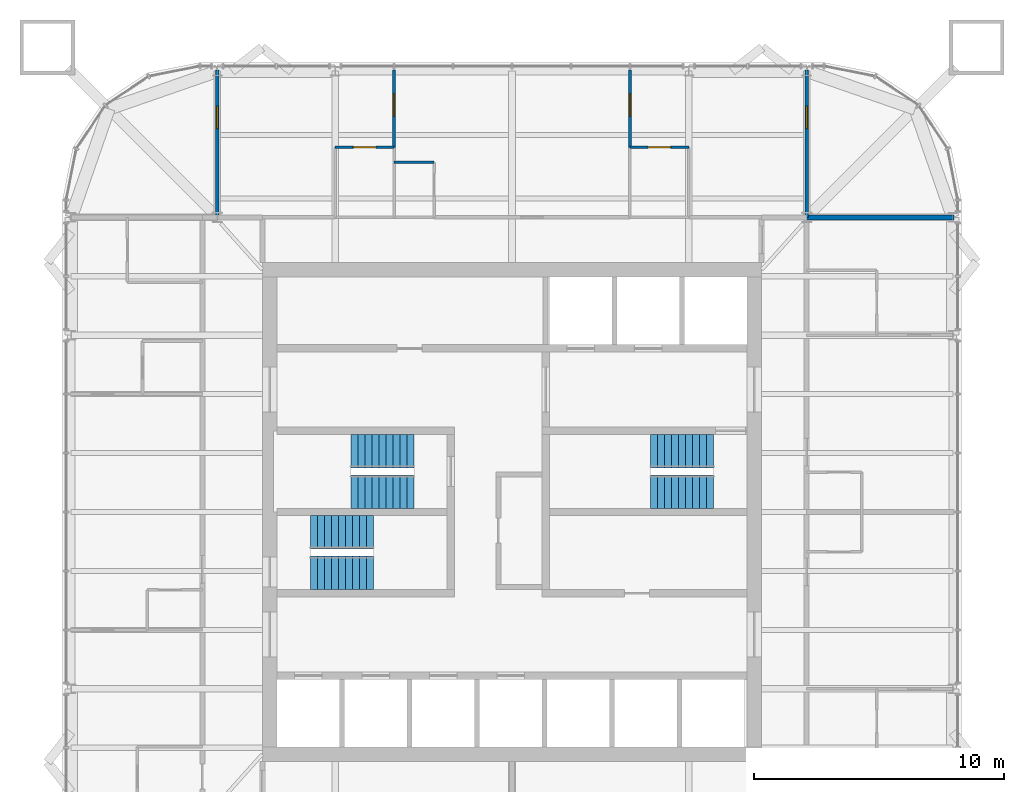
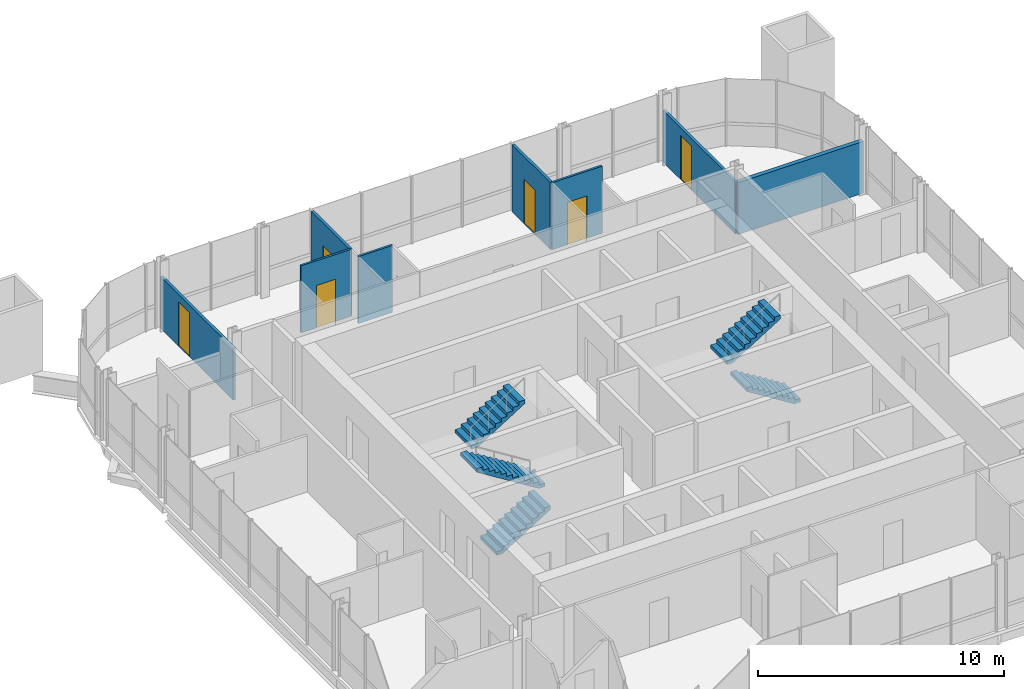
# One storey, part 16 of 17: 8 walls, 6 doors, 6 stair flights, 6 openings, 3 elements without a shape of their own.
"""IFC4 building model written with IfcOpenShell, lengths in metres."""

from ifc_helpers import new_model, si_unit, direction, frame, frame_2d, origin, place, context, subcontext, project, spatial, polyline, rectangle, outline, extrude, material, layer, layer_set, type_object, element, fill, aggregate, save


model = new_model("IFC4")

# Units and contexts
model_context = context("Model", 3, precision=1e-05, world=origin(), true_north=direction((0.0, 1.0)))
body_context = subcontext(model_context, "Body", "Model", "MODEL_VIEW")
ifc_project = project(units=[si_unit("LENGTHUNIT", "METRE"), si_unit("AREAUNIT", "SQUARE_METRE"), si_unit("VOLUMEUNIT", "CUBIC_METRE"), si_unit("PLANEANGLEUNIT", "RADIAN"), si_unit("MASSUNIT", "GRAM", prefix="KILO")], contexts=[model_context])

# Site, building, storey
site_placement = place(None, origin())
site = spatial("IfcSite", under=ifc_project, at=site_placement, CompositionType="ELEMENT")
building_placement = place(site_placement, origin())
building = spatial("IfcBuilding", under=site, at=building_placement, Name="Turquesa Mirador Hotel Tower", CompositionType="ELEMENT")
storey_placement = place(building_placement, frame((0.0, 0.0, 237.199951171875)))
storey = spatial("IfcBuildingStorey", under=building, at=storey_placement, Name="L64", CompositionType="ELEMENT", Elevation=237.199951171875)

# Wall
ifc_material_1 = material(Name="Gypsum board on steel studs", Category="steel")
ifc_layer_1 = layer(ifc_material_1, 0.10009765625)
ifc_layer_set_1 = layer_set([ifc_layer_1], Name="BATHROOM WALL 100")
wall_type_1 = type_object("IfcWallType", Name="BATHROOM WALL 100", PredefinedType="PARTITIONING", material=ifc_layer_set_1)
wall_1_placement = place(storey_placement, frame((50.280029296875, 59.0, 0.0), z_axis=(0.0, 0.0, 1.0), x_axis=(1.0, 0.0, 0.0)))
element("IfcWall", 1, at=wall_1_placement, inside=storey, type_object=wall_type_1, Name="Partition L64 032", PredefinedType="PARTITIONING", context=body_context, shape_type="SweptSolid", body=[
    extrude(rectangle(XDim=1.599853515625, YDim=0.10009765625, at=frame_2d((0.7998046875, 0.0))), origin(), (0.0, 0.0, 1.0), 3.330078125),
])

# Wall, opening, door
wall_2_placement = place(storey_placement, frame((47.919921875, 59.60009765625, 0.0), z_axis=(0.0, 0.0, 1.0), x_axis=(1.0, 0.0, 0.0)))
wall_2 = element("IfcWall", 2, at=wall_2_placement, inside=storey, type_object=wall_type_1, Name="Partition L64 033", PredefinedType="PARTITIONING", context=body_context, shape_type="SweptSolid", body=[
    extrude(rectangle(XDim=2.360107421875, YDim=0.10009765625, at=frame_2d((1.18017578125, 0.0))), origin(), (0.0, 0.0, 1.0), 3.330078125),
])
opening_1_placement = place(wall_2_placement, frame((0.72998046875, 0.0, 0.0)))
opening_1 = element("IfcOpeningElement", 3, at=opening_1_placement, cuts=wall_2, Name="Opening D02", PredefinedType="OPENING", context=body_context, shape_type="SweptSolid", body=[
    extrude(rectangle(XDim=0.89990234375, YDim=2.10009765625, at=frame_2d((0.449951171875, 1.050048828125))), frame((0.0, 0.06005859375, 0.0), z_axis=(0.0, -1.0, 0.0), x_axis=(1.0, 0.0, 0.0)), (0.0, 0.0, 1.0), 0.1201171875),
])
ifc_material_2 = material(Name="Timber veneered door", Category="wood")
door_type_1 = type_object("IfcDoorType", Name="DOOR 900X2100 EN-SUITE", OperationType="SINGLE_SWING_RIGHT", PredefinedType="DOOR", material=ifc_material_2)
door_1_placement = place(opening_1_placement, origin())
door_1 = element("IfcDoor", 4, at=door_1_placement, inside=storey, type_object=door_type_1, Name="Door 6401B", OperationType="SINGLE_SWING_RIGHT", OverallHeight=2.10009765625, OverallWidth=0.89990234375, PredefinedType="DOOR", context=body_context, shape_type="SweptSolid", body=[
    extrude(rectangle(XDim=0.89990234375, YDim=2.10009765625, at=frame_2d((0.449951171875, 1.050048828125))), frame((0.0, 0.02490234375, 0.0), z_axis=(0.0, -1.0, 0.0), x_axis=(1.0, 0.0, 0.0)), (0.0, 0.0, 1.0), 0.050048828125),
])
fill(opening_1, door_1)

wall_3_placement = place(storey_placement, frame((59.719970703125, 59.60009765625, 0.0), z_axis=(0.0, 0.0, 1.0), x_axis=(1.0, 0.0, 0.0)))
wall_3 = element("IfcWall", 5, at=wall_3_placement, inside=storey, type_object=wall_type_1, Name="Partition L64 034", PredefinedType="PARTITIONING", context=body_context, shape_type="SweptSolid", body=[
    extrude(rectangle(XDim=2.360107421875, YDim=0.10009765625, at=frame_2d((1.18017578125, 0.0))), origin(), (0.0, 0.0, 1.0), 3.330078125),
])
opening_2_placement = place(wall_3_placement, frame((0.72998046875, 0.0, 0.0)))
opening_2 = element("IfcOpeningElement", 6, at=opening_2_placement, cuts=wall_3, Name="Opening D02", PredefinedType="OPENING", context=body_context, shape_type="SweptSolid", body=[
    extrude(rectangle(XDim=0.89990234375, YDim=2.10009765625, at=frame_2d((0.449951171875, 1.050048828125))), frame((0.0, 0.06005859375, 0.0), z_axis=(0.0, -1.0, 0.0), x_axis=(1.0, 0.0, 0.0)), (0.0, 0.0, 1.0), 0.1201171875),
])
door_2_placement = place(opening_2_placement, origin())
door_2 = element("IfcDoor", 7, at=door_2_placement, inside=storey, type_object=door_type_1, Name="Door 6401E", OperationType="SINGLE_SWING_RIGHT", OverallHeight=2.10009765625, OverallWidth=0.89990234375, PredefinedType="DOOR", context=body_context, shape_type="SweptSolid", body=[
    extrude(rectangle(XDim=0.89990234375, YDim=2.10009765625, at=frame_2d((0.449951171875, 1.050048828125))), frame((0.0, 0.02490234375, 0.0), z_axis=(0.0, -1.0, 0.0), x_axis=(1.0, 0.0, 0.0)), (0.0, 0.0, 1.0), 0.050048828125),
])
fill(opening_2, door_2)

# Wall
ifc_material_3 = material(Name="Fire-rated gypsum board on steel studs", Category="steel")
ifc_layer_2 = layer(ifc_material_3, 0.199951171875)
ifc_layer_set_2 = layer_set([ifc_layer_2], Name="PARTY WALL 200")
wall_type_2 = type_object("IfcWallType", Name="PARTY WALL 200", PredefinedType="PARTITIONING", material=ifc_layer_set_2)
wall_4_placement = place(storey_placement, frame((66.800048828125, 56.800048828125, 0.0), z_axis=(0.0, 0.0, 1.0), x_axis=(1.0, 0.0, 0.0)))
element("IfcWall", 8, at=wall_4_placement, inside=storey, type_object=wall_type_2, Name="Partition L64 028", PredefinedType="PARTITIONING", context=body_context, shape_type="SweptSolid", body=[
    extrude(rectangle(XDim=5.89990234375, YDim=0.199951171875, at=frame_2d((2.949951171875, 0.0))), origin(), (0.0, 0.0, 1.0), 2.5732421875),
])

# Wall, opening, door
ifc_material_4 = material(Name="Acoustic gypsum board on steel studs", Category="steel")
ifc_layer_3 = layer(ifc_material_4, 0.125)
ifc_layer_set_3 = layer_set([ifc_layer_3], Name="SUITE PARTITION 125")
wall_type_3 = type_object("IfcWallType", Name="SUITE PARTITION 125", PredefinedType="PARTITIONING", material=ifc_layer_set_3)
wall_5_placement = place(storey_placement, frame((43.199951171875, 56.800048828125, 0.0), z_axis=(0.0, 0.0, 1.0), x_axis=(0.0, 1.0, 0.0)))
wall_5 = element("IfcWall", 9, at=wall_5_placement, inside=storey, type_object=wall_type_3, Name="Partition L64 045", PredefinedType="PARTITIONING", context=body_context, shape_type="SweptSolid", body=[
    extrude(rectangle(XDim=5.89990234375, YDim=0.125, at=frame_2d((2.949951171875, 0.0))), origin(), (0.0, 0.0, 1.0), 2.5732421875),
])
opening_3_placement = place(wall_5_placement, frame((3.550048828125, 0.0, 0.0)))
opening_3 = element("IfcOpeningElement", 10, at=opening_3_placement, cuts=wall_5, Name="Opening D17", PredefinedType="OPENING", context=body_context, shape_type="SweptSolid", body=[
    extrude(rectangle(XDim=0.89990234375, YDim=2.199951171875, at=frame_2d((0.449951171875, 1.10009765625))), frame((0.0, 0.072509765625, 0.0), z_axis=(0.0, -1.0, 0.0), x_axis=(1.0, 0.0, 0.0)), (0.0, 0.0, 1.0), 0.14501953125),
])
ifc_material_5 = material(Name="Timber veneered door", Category="wood")
door_type_2 = type_object("IfcDoorType", Name="DOOR 900X2200 SUITE INTERNAL", OperationType="SINGLE_SWING_LEFT", PredefinedType="DOOR", material=ifc_material_5)
door_3_placement = place(opening_3_placement, origin())
door_3 = element("IfcDoor", 11, at=door_3_placement, inside=storey, type_object=door_type_2, Name="Door 6401T", OperationType="SINGLE_SWING_LEFT", OverallHeight=2.199951171875, OverallWidth=0.89990234375, PredefinedType="DOOR", context=body_context, shape_type="SweptSolid", body=[
    extrude(rectangle(XDim=0.89990234375, YDim=2.199951171875, at=frame_2d((0.449951171875, 1.10009765625))), frame((0.0, 0.02490234375, 0.0), z_axis=(0.0, -1.0, 0.0), x_axis=(1.0, 0.0, 0.0)), (0.0, 0.0, 1.0), 0.050048828125),
])
fill(opening_3, door_3)

wall_6_placement = place(storey_placement, frame((50.280029296875, 59.60009765625, 0.0), z_axis=(0.0, 0.0, 1.0), x_axis=(0.0, 1.0, 0.0)))
wall_6 = element("IfcWall", 12, at=wall_6_placement, inside=storey, type_object=wall_type_3, Name="Partition L64 053", PredefinedType="PARTITIONING", context=body_context, shape_type="SweptSolid", body=[
    extrude(rectangle(XDim=3.099853515625, YDim=0.125, at=frame_2d((1.5498046875, 0.0))), origin(), (0.0, 0.0, 1.0), 3.330078125),
])
opening_4_placement = place(wall_6_placement, frame((1.25, 0.0, 0.0)))
opening_4 = element("IfcOpeningElement", 13, at=opening_4_placement, cuts=wall_6, Name="Opening D17", PredefinedType="OPENING", context=body_context, shape_type="SweptSolid", body=[
    extrude(rectangle(XDim=0.89990234375, YDim=2.199951171875, at=frame_2d((0.449951171875, 1.10009765625))), frame((0.0, 0.072509765625, 0.0), z_axis=(0.0, -1.0, 0.0), x_axis=(1.0, 0.0, 0.0)), (0.0, 0.0, 1.0), 0.14501953125),
])
door_4_placement = place(opening_4_placement, origin())
door_4 = element("IfcDoor", 14, at=door_4_placement, inside=storey, type_object=door_type_2, Name="Door 6401R", OperationType="SINGLE_SWING_LEFT", OverallHeight=2.199951171875, OverallWidth=0.89990234375, PredefinedType="DOOR", context=body_context, shape_type="SweptSolid", body=[
    extrude(rectangle(XDim=0.89990234375, YDim=2.199951171875, at=frame_2d((0.449951171875, 1.10009765625))), frame((0.0, 0.02490234375, 0.0), z_axis=(0.0, -1.0, 0.0), x_axis=(1.0, 0.0, 0.0)), (0.0, 0.0, 1.0), 0.050048828125),
])
fill(opening_4, door_4)

wall_7_placement = place(storey_placement, frame((66.800048828125, 56.800048828125, 0.0), z_axis=(0.0, 0.0, 1.0), x_axis=(0.0, 1.0, 0.0)))
wall_7 = element("IfcWall", 15, at=wall_7_placement, inside=storey, type_object=wall_type_3, Name="Partition L64 063", PredefinedType="PARTITIONING", context=body_context, shape_type="SweptSolid", body=[
    extrude(rectangle(XDim=5.89990234375, YDim=0.125, at=frame_2d((2.949951171875, 0.0))), origin(), (0.0, 0.0, 1.0), 2.5732421875),
])
opening_5_placement = place(wall_7_placement, frame((3.550048828125, 0.0, 0.0)))
opening_5 = element("IfcOpeningElement", 16, at=opening_5_placement, cuts=wall_7, Name="Opening D17", PredefinedType="OPENING", context=body_context, shape_type="SweptSolid", body=[
    extrude(rectangle(XDim=0.89990234375, YDim=2.199951171875, at=frame_2d((0.449951171875, 1.10009765625))), frame((0.0, 0.072509765625, 0.0), z_axis=(0.0, -1.0, 0.0), x_axis=(1.0, 0.0, 0.0)), (0.0, 0.0, 1.0), 0.14501953125),
])
door_5_placement = place(opening_5_placement, origin())
door_5 = element("IfcDoor", 17, at=door_5_placement, inside=storey, type_object=door_type_2, Name="Door 6401U", OperationType="SINGLE_SWING_LEFT", OverallHeight=2.199951171875, OverallWidth=0.89990234375, PredefinedType="DOOR", context=body_context, shape_type="SweptSolid", body=[
    extrude(rectangle(XDim=0.89990234375, YDim=2.199951171875, at=frame_2d((0.449951171875, 1.10009765625))), frame((0.0, 0.02490234375, 0.0), z_axis=(0.0, -1.0, 0.0), x_axis=(1.0, 0.0, 0.0)), (0.0, 0.0, 1.0), 0.050048828125),
])
fill(opening_5, door_5)

wall_8_placement = place(storey_placement, frame((59.719970703125, 59.60009765625, 0.0), z_axis=(0.0, 0.0, 1.0), x_axis=(0.0, 1.0, 0.0)))
wall_8 = element("IfcWall", 18, at=wall_8_placement, inside=storey, type_object=wall_type_3, Name="Partition L64 068", PredefinedType="PARTITIONING", context=body_context, shape_type="SweptSolid", body=[
    extrude(rectangle(XDim=3.099853515625, YDim=0.125, at=frame_2d((1.5498046875, 0.0))), origin(), (0.0, 0.0, 1.0), 3.330078125),
])
opening_6_placement = place(wall_8_placement, frame((1.25, 0.0, 0.0)))
opening_6 = element("IfcOpeningElement", 19, at=opening_6_placement, cuts=wall_8, Name="Opening D17", PredefinedType="OPENING", context=body_context, shape_type="SweptSolid", body=[
    extrude(rectangle(XDim=0.89990234375, YDim=2.199951171875, at=frame_2d((0.449951171875, 1.10009765625))), frame((0.0, 0.072509765625, 0.0), z_axis=(0.0, -1.0, 0.0), x_axis=(1.0, 0.0, 0.0)), (0.0, 0.0, 1.0), 0.14501953125),
])
door_6_placement = place(opening_6_placement, origin())
door_6 = element("IfcDoor", 20, at=door_6_placement, inside=storey, type_object=door_type_2, Name="Door 6401S", OperationType="SINGLE_SWING_LEFT", OverallHeight=2.199951171875, OverallWidth=0.89990234375, PredefinedType="DOOR", context=body_context, shape_type="SweptSolid", body=[
    extrude(rectangle(XDim=0.89990234375, YDim=2.199951171875, at=frame_2d((0.449951171875, 1.10009765625))), frame((0.0, 0.02490234375, 0.0), z_axis=(0.0, -1.0, 0.0), x_axis=(1.0, 0.0, 0.0)), (0.0, 0.0, 1.0), 0.050048828125),
])
fill(opening_6, door_6)

# Stair, stair flights
ifc_material_6 = material(Name="Concrete C35/45", Category="concrete")
stair_type = type_object("IfcStairType", Name="ESCAPE STAIR CORE", PredefinedType="HALF_TURN_STAIR", material=ifc_material_6)
stair_1_placement = place(storey_placement, origin())
stair_1 = element("IfcStair", 21, at=stair_1_placement, inside=storey, type_object=stair_type, Name="Stair ST1 L64 to L65", PredefinedType="HALF_TURN_STAIR")
ifc_material_7 = material(Name="Concrete C35/45 precast flight", Category="concrete")
stair_flight_type = type_object("IfcStairFlightType", Name="STAIR FLIGHT 1330", PredefinedType="STRAIGHT", material=ifc_material_7)
stair_flight_1_placement = place(storey_placement, frame((51.070068359375, 45.81494140625, 0.0), z_axis=(0.0, 0.0, 1.0), x_axis=(-1.0, 0.0, 0.0)))
stair_flight_1 = element("IfcStairFlight", 22, at=stair_flight_1_placement, type_object=stair_flight_type, Name="ST1 flight 1", NumberOfRisers=10, NumberOfTreads=9, PredefinedType="STRAIGHT", RiserHeight=0.175, TreadLength=0.28, context=body_context, shape_type="SweptSolid", body=[
    extrude(outline(polyline([(0.0, 0.0), (0.0, 0.175048828125), (0.280029296875, 0.175048828125), (0.280029296875, 0.35009765625), (0.56005859375, 0.35009765625), (0.56005859375, 0.52490234375), (0.840087890625, 0.52490234375), (0.840087890625, 0.699951171875), (1.1201171875, 0.699951171875), (1.1201171875, 0.875), (1.39990234375, 0.875), (1.39990234375, 1.050048828125), (1.679931640625, 1.050048828125), (1.679931640625, 1.22509765625), (1.9599609375, 1.22509765625), (1.9599609375, 1.39990234375), (2.239990234375, 1.39990234375), (2.239990234375, 1.574951171875), (2.52001953125, 1.574951171875), (2.52001953125, 1.75), (2.52001953125, 1.398193359375), (0.28271484375, 0.0), (0.0, 0.0)])), frame((0.0, 0.6650390625, 0.0), z_axis=(0.0, -1.0, 0.0), x_axis=(1.0, 0.0, 0.0)), (0.0, 0.0, 1.0), 1.330078125),
])
stair_flight_2_placement = place(storey_placement, frame((48.550048828125, 47.43505859375, 1.75), z_axis=(0.0, 0.0, 1.0), x_axis=(1.0, 0.0, 0.0)))
stair_flight_2 = element("IfcStairFlight", 23, at=stair_flight_2_placement, type_object=stair_flight_type, Name="ST1 flight 2", NumberOfRisers=10, NumberOfTreads=9, PredefinedType="STRAIGHT", RiserHeight=0.175, TreadLength=0.28, context=body_context, shape_type="SweptSolid", body=[
    extrude(outline(polyline([(0.0, 0.0), (0.0, 0.175048828125), (0.280029296875, 0.175048828125), (0.280029296875, 0.35009765625), (0.56005859375, 0.35009765625), (0.56005859375, 0.52490234375), (0.840087890625, 0.52490234375), (0.840087890625, 0.699951171875), (1.1201171875, 0.699951171875), (1.1201171875, 0.875), (1.39990234375, 0.875), (1.39990234375, 1.050048828125), (1.679931640625, 1.050048828125), (1.679931640625, 1.22509765625), (1.9599609375, 1.22509765625), (1.9599609375, 1.39990234375), (2.239990234375, 1.39990234375), (2.239990234375, 1.574951171875), (2.52001953125, 1.574951171875), (2.52001953125, 1.75), (2.52001953125, 1.398193359375), (0.28271484375, 0.0), (0.0, 0.0)])), frame((0.0, 0.6650390625, 0.0), z_axis=(0.0, -1.0, 0.0), x_axis=(1.0, 0.0, 0.0)), (0.0, 0.0, 1.0), 1.330078125),
])
aggregate(stair_1, [stair_flight_1, stair_flight_2])

stair_2_placement = place(storey_placement, origin())
stair_2 = element("IfcStair", 24, at=stair_2_placement, inside=storey, type_object=stair_type, Name="Stair ST2 L64 to L65", PredefinedType="HALF_TURN_STAIR")
stair_flight_3_placement = place(storey_placement, frame((46.929931640625, 42.56494140625, 0.0), z_axis=(0.0, 0.0, 1.0), x_axis=(1.0, 0.0, 0.0)))
stair_flight_3 = element("IfcStairFlight", 25, at=stair_flight_3_placement, type_object=stair_flight_type, Name="ST2 flight 1", NumberOfRisers=10, NumberOfTreads=9, PredefinedType="STRAIGHT", RiserHeight=0.175, TreadLength=0.28, context=body_context, shape_type="SweptSolid", body=[
    extrude(outline(polyline([(0.0, 0.0), (0.0, 0.175048828125), (0.280029296875, 0.175048828125), (0.280029296875, 0.35009765625), (0.56005859375, 0.35009765625), (0.56005859375, 0.52490234375), (0.840087890625, 0.52490234375), (0.840087890625, 0.699951171875), (1.1201171875, 0.699951171875), (1.1201171875, 0.875), (1.39990234375, 0.875), (1.39990234375, 1.050048828125), (1.679931640625, 1.050048828125), (1.679931640625, 1.22509765625), (1.9599609375, 1.22509765625), (1.9599609375, 1.39990234375), (2.239990234375, 1.39990234375), (2.239990234375, 1.574951171875), (2.52001953125, 1.574951171875), (2.52001953125, 1.75), (2.52001953125, 1.398193359375), (0.28271484375, 0.0), (0.0, 0.0)])), frame((0.0, 0.6650390625, 0.0), z_axis=(0.0, -1.0, 0.0), x_axis=(1.0, 0.0, 0.0)), (0.0, 0.0, 1.0), 1.330078125),
])
stair_flight_4_placement = place(storey_placement, frame((49.449951171875, 44.18505859375, 1.75), z_axis=(0.0, 0.0, 1.0), x_axis=(-1.0, 0.0, 0.0)))
stair_flight_4 = element("IfcStairFlight", 26, at=stair_flight_4_placement, type_object=stair_flight_type, Name="ST2 flight 2", NumberOfRisers=10, NumberOfTreads=9, PredefinedType="STRAIGHT", RiserHeight=0.175, TreadLength=0.28, context=body_context, shape_type="SweptSolid", body=[
    extrude(outline(polyline([(0.0, 0.0), (0.0, 0.175048828125), (0.280029296875, 0.175048828125), (0.280029296875, 0.35009765625), (0.56005859375, 0.35009765625), (0.56005859375, 0.52490234375), (0.840087890625, 0.52490234375), (0.840087890625, 0.699951171875), (1.1201171875, 0.699951171875), (1.1201171875, 0.875), (1.39990234375, 0.875), (1.39990234375, 1.050048828125), (1.679931640625, 1.050048828125), (1.679931640625, 1.22509765625), (1.9599609375, 1.22509765625), (1.9599609375, 1.39990234375), (2.239990234375, 1.39990234375), (2.239990234375, 1.574951171875), (2.52001953125, 1.574951171875), (2.52001953125, 1.75), (2.52001953125, 1.398193359375), (0.28271484375, 0.0), (0.0, 0.0)])), frame((0.0, 0.6650390625, 0.0), z_axis=(0.0, -1.0, 0.0), x_axis=(1.0, 0.0, 0.0)), (0.0, 0.0, 1.0), 1.330078125),
])
aggregate(stair_2, [stair_flight_3, stair_flight_4])

stair_3_placement = place(storey_placement, origin())
stair_3 = element("IfcStair", 27, at=stair_3_placement, inside=storey, type_object=stair_type, Name="Stair ST3 L64 to L65", PredefinedType="HALF_TURN_STAIR")
stair_flight_5_placement = place(storey_placement, frame((63.070068359375, 45.81494140625, 0.0), z_axis=(0.0, 0.0, 1.0), x_axis=(-1.0, 0.0, 0.0)))
stair_flight_5 = element("IfcStairFlight", 28, at=stair_flight_5_placement, type_object=stair_flight_type, Name="ST3 flight 1", NumberOfRisers=10, NumberOfTreads=9, PredefinedType="STRAIGHT", RiserHeight=0.175, TreadLength=0.28, context=body_context, shape_type="SweptSolid", body=[
    extrude(outline(polyline([(0.0, 0.0), (0.0, 0.175048828125), (0.280029296875, 0.175048828125), (0.280029296875, 0.35009765625), (0.56005859375, 0.35009765625), (0.56005859375, 0.52490234375), (0.840087890625, 0.52490234375), (0.840087890625, 0.699951171875), (1.1201171875, 0.699951171875), (1.1201171875, 0.875), (1.39990234375, 0.875), (1.39990234375, 1.050048828125), (1.679931640625, 1.050048828125), (1.679931640625, 1.22509765625), (1.9599609375, 1.22509765625), (1.9599609375, 1.39990234375), (2.239990234375, 1.39990234375), (2.239990234375, 1.574951171875), (2.52001953125, 1.574951171875), (2.52001953125, 1.75), (2.52001953125, 1.398193359375), (0.28271484375, 0.0), (0.0, 0.0)])), frame((0.0, 0.6650390625, 0.0), z_axis=(0.0, -1.0, 0.0), x_axis=(1.0, 0.0, 0.0)), (0.0, 0.0, 1.0), 1.330078125),
])
stair_flight_6_placement = place(storey_placement, frame((60.550048828125, 47.43505859375, 1.75), z_axis=(0.0, 0.0, 1.0), x_axis=(1.0, 0.0, 0.0)))
stair_flight_6 = element("IfcStairFlight", 29, at=stair_flight_6_placement, type_object=stair_flight_type, Name="ST3 flight 2", NumberOfRisers=10, NumberOfTreads=9, PredefinedType="STRAIGHT", RiserHeight=0.175, TreadLength=0.28, context=body_context, shape_type="SweptSolid", body=[
    extrude(outline(polyline([(0.0, 0.0), (0.0, 0.175048828125), (0.280029296875, 0.175048828125), (0.280029296875, 0.35009765625), (0.56005859375, 0.35009765625), (0.56005859375, 0.52490234375), (0.840087890625, 0.52490234375), (0.840087890625, 0.699951171875), (1.1201171875, 0.699951171875), (1.1201171875, 0.875), (1.39990234375, 0.875), (1.39990234375, 1.050048828125), (1.679931640625, 1.050048828125), (1.679931640625, 1.22509765625), (1.9599609375, 1.22509765625), (1.9599609375, 1.39990234375), (2.239990234375, 1.39990234375), (2.239990234375, 1.574951171875), (2.52001953125, 1.574951171875), (2.52001953125, 1.75), (2.52001953125, 1.398193359375), (0.28271484375, 0.0), (0.0, 0.0)])), frame((0.0, 0.6650390625, 0.0), z_axis=(0.0, -1.0, 0.0), x_axis=(1.0, 0.0, 0.0)), (0.0, 0.0, 1.0), 1.330078125),
])
aggregate(stair_3, [stair_flight_5, stair_flight_6])

save(model, "model.ifc")
